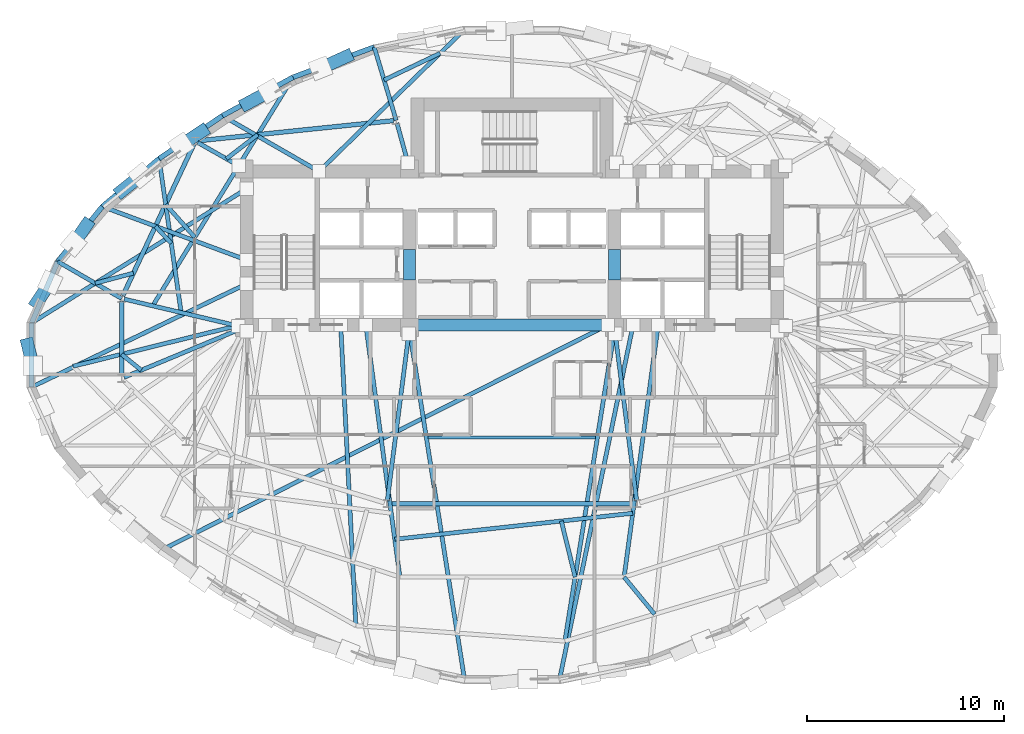
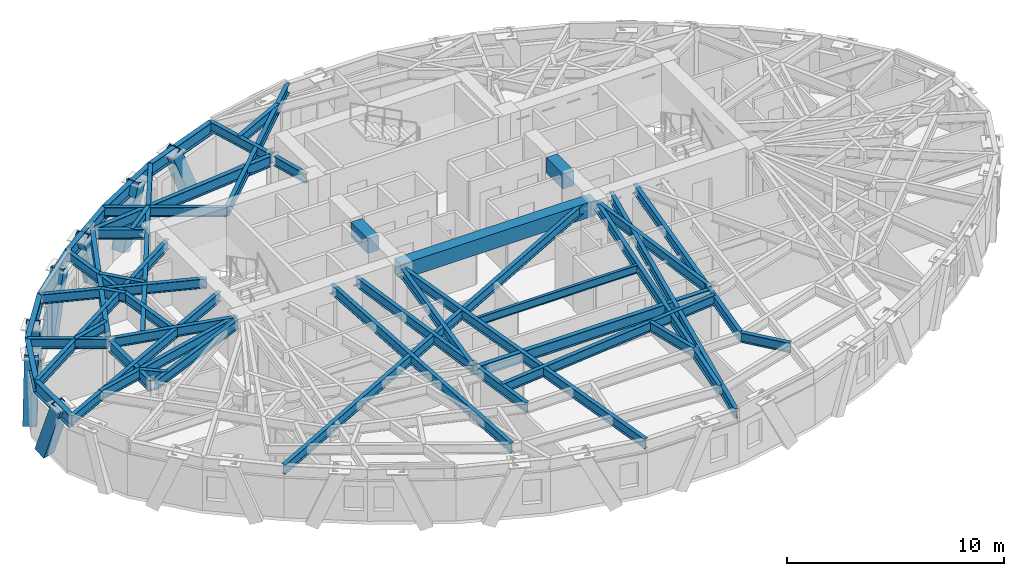
# One storey, part 2 of 14: 47 beams, 7 members.
"""IFC4 building model written with IfcOpenShell, lengths in metres."""

import ifcopenshell
import ifcopenshell.guid

model = None  # the IFC model being written
_history = None  # IfcOwnerHistory: only IFC2X3 demands one
_inside = {}  # id of a spatial element -> (the spatial element, [elements in it])
_under = {}  # id of a project, library or spatial element -> (it, [spatial elements below it])
_declared = {}  # id of a project -> (the project, [libraries it declares])
_typed = {}  # id of a type object -> (the type object, [elements of that type])
_made_of = {}  # id of a material, layer set ... -> (it, [elements and type objects made of it])


def new_model(schema):
    """Start an empty IFC model of exactly this schema.

    Asked for "IFC4X3", IfcOpenShell would pick the latest addendum, in which some entities
    have other attributes; the version numbers below select the first issue.
    IFC2X3 requires an IfcOwnerHistory on every rooted entity: one is made here for all.
    """
    global model, _history
    if schema == "IFC4X3":
        model = ifcopenshell.file(schema_version=(4, 3, 0, 0))
    else:
        model = ifcopenshell.file(schema=schema)
    _inside.clear()
    _under.clear()
    _declared.clear()
    _typed.clear()
    _made_of.clear()
    _history = None
    if model.schema == "IFC2X3":
        org = make("IfcOrganization", Name="unknown")
        user = make(
            "IfcPersonAndOrganization",
            ThePerson=make("IfcPerson", FamilyName="unknown"),
            TheOrganization=org,
        )
        app = make(
            "IfcApplication",
            ApplicationDeveloper=org,
            Version="unknown",
            ApplicationFullName="unknown",
            ApplicationIdentifier="unknown",
        )
        _history = make(
            "IfcOwnerHistory",
            OwningUser=user,
            OwningApplication=app,
            ChangeAction="ADDED",
            CreationDate=0,
        )
    return model


def make(cls, **values):
    """One entity of the class cls with the attributes given. An attribute that is None is left unset."""
    return model.create_entity(
        cls, **{name: value for name, value in values.items() if value is not None}
    )


def rooted(cls, **values):
    """An entity with a GlobalId (a new one), such as an element, a storey or a relation."""
    return make(cls, GlobalId=ifcopenshell.guid.new(), OwnerHistory=_history, **values)


def si_unit(unit_type, name, prefix=None):
    """IfcSIUnit, for example si_unit("LENGTHUNIT", "METRE", prefix="MILLI")."""
    return make("IfcSIUnit", UnitType=unit_type, Prefix=prefix, Name=name)


def assignment(units):
    """IfcUnitAssignment: the units of a project."""
    return None if units is None else make("IfcUnitAssignment", Units=units)


def point(xyz):
    """IfcCartesianPoint."""
    return None if xyz is None else make("IfcCartesianPoint", Coordinates=xyz)


def direction(xyz):
    """IfcDirection."""
    return None if xyz is None else make("IfcDirection", DirectionRatios=xyz)


def frame(location, z_axis=None, x_axis=None):
    """IfcAxis2Placement3D, a coordinate frame: its origin and axes. An axis left out is left unset."""
    return make(
        "IfcAxis2Placement3D",
        Location=point(location),
        Axis=direction(z_axis),
        RefDirection=direction(x_axis),
    )


def frame_2d(location, x_axis=None):
    """IfcAxis2Placement2D, a coordinate frame in the plane: its origin and x axis."""
    return make(
        "IfcAxis2Placement2D", Location=point(location), RefDirection=direction(x_axis)
    )


def origin():
    """The frame at (0, 0, 0) with its axes left unset."""
    return frame((0.0, 0.0, 0.0))


def origin_2d():
    """The frame at (0, 0) in the plane with its x axis left unset."""
    return frame_2d((0.0, 0.0))


def place(relative_to, where):
    """IfcLocalPlacement: puts the frame where relative to a parent placement (None: the world)."""
    return make(
        "IfcLocalPlacement", PlacementRelTo=relative_to, RelativePlacement=where
    )


def context(
    kind, dimensions, precision=None, world=None, true_north=None, identifier=None
):
    """IfcGeometricRepresentationContext, for example the 3D "Model" context."""
    return make(
        "IfcGeometricRepresentationContext",
        ContextIdentifier=identifier,
        ContextType=kind,
        CoordinateSpaceDimension=dimensions,
        Precision=precision,
        WorldCoordinateSystem=world,
        TrueNorth=true_north,
    )


def subcontext(parent, identifier, kind, view, scale=None):
    """IfcGeometricRepresentationSubContext, for example "Body" below "Model"."""
    return make(
        "IfcGeometricRepresentationSubContext",
        ContextIdentifier=identifier,
        ContextType=kind,
        ParentContext=parent,
        TargetScale=scale,
        TargetView=view,
    )


def project(units=None, contexts=None):
    """IfcProject with its units and contexts."""
    return rooted(
        "IfcProject",
        Name="project",
        RepresentationContexts=contexts,
        UnitsInContext=assignment(units),
    )


def spatial(cls, under=None, at=None, **own):
    """A site, building, storey or space (cls), placed at a placement, below another one or the project."""
    s = rooted(cls, ObjectPlacement=at, **own)
    if under is not None:
        _under.setdefault(under.id(), (under, []))[1].append(s)
    return s


def profile(cls, at=None, kind="AREA", **sizes):
    """A parametric profile (cls). Its sizes go by their IFC names, for example OverallWidth=200.0."""
    return make(cls, ProfileType=kind, Position=at, **sizes)


def rectangle(**sizes):
    """IfcRectangleProfileDef."""
    return profile("IfcRectangleProfileDef", **sizes)


def hollow_rectangle(**sizes):
    """IfcRectangleHollowProfileDef."""
    return profile("IfcRectangleHollowProfileDef", **sizes)


def i_section(**sizes):
    """IfcIShapeProfileDef."""
    return profile("IfcIShapeProfileDef", **sizes)


def extrude(swept, where, along, depth):
    """IfcExtrudedAreaSolid: the profile swept, set in the frame where, extruded along a direction by depth."""
    return make(
        "IfcExtrudedAreaSolid",
        SweptArea=swept,
        Position=where,
        ExtrudedDirection=direction(along),
        Depth=depth,
    )


def shape(context_of_items, identifier, shape_type, items):
    """IfcShapeRepresentation: the items that make up one representation, for example the "Body"."""
    return make(
        "IfcShapeRepresentation",
        ContextOfItems=context_of_items,
        RepresentationIdentifier=identifier,
        RepresentationType=shape_type,
        Items=items,
    )


def material(Name=None, Category=None):
    """IfcMaterial."""
    return make("IfcMaterial", Name=Name, Category=Category)


def material_profile(
    of_material, cross_section, Name=None, Category=None, Priority=None
):
    """IfcMaterialProfile: a cross section and its material."""
    return make(
        "IfcMaterialProfile",
        Name=Name,
        Material=of_material,
        Profile=cross_section,
        Priority=Priority,
        Category=Category,
    )


def profile_set(profiles, Name=None, composite=None):
    """IfcMaterialProfileSet."""
    return make(
        "IfcMaterialProfileSet",
        Name=Name,
        MaterialProfiles=profiles,
        CompositeProfile=composite,
    )


def made_of(thing, what):
    """Note that an element or type object is made of a material, layer set ...; save() writes the relation."""
    if what is not None:
        _made_of.setdefault(what.id(), (what, []))[1].append(thing)
    return thing


def type_object(cls, material=None, **own):
    """A type object (cls), such as IfcWallType, which elements share."""
    return made_of(rooted(cls, **own), material)


def element(
    cls,
    number,
    at=None,
    inside=None,
    cuts=None,
    type_object=None,
    material=None,
    context=None,
    identifier="Body",
    shape_type=None,
    held_by="IfcProductDefinitionShape",
    body=None,
    shapes=None,
    **own,
):
    """One element of the class cls, such as IfcWall. Its Tag is "e" and its number.

    at: its placement. inside: the storey or other place that contains it. cuts: it is an
    opening in that element (IfcRelVoidsElement). A single representation is given by context,
    identifier, shape_type and body (its items); several are given by shapes. held_by: the class
    of the entity that holds the representations. save() writes the other relations.
    """
    e = rooted(cls, Tag="e%d" % number, ObjectPlacement=at, **own)
    if body is not None:
        shapes = [shape(context, identifier, shape_type, body)]
    if shapes is not None:
        e.Representation = make(held_by, Representations=shapes)
    if inside is not None:
        _inside.setdefault(inside.id(), (inside, []))[1].append(e)
    if cuts is not None:
        rooted(
            "IfcRelVoidsElement", RelatingBuildingElement=cuts, RelatedOpeningElement=e
        )
    if type_object is not None:
        _typed.setdefault(type_object.id(), (type_object, []))[1].append(e)
    return made_of(e, material)


def aggregate(whole, parts):
    """IfcRelAggregates: a whole, such as a stair, and the parts it consists of."""
    return rooted("IfcRelAggregates", RelatingObject=whole, RelatedObjects=parts)


def save(model, path):
    """Write the relations noted so far, then the file.

    IfcRelAggregates (storeys below a building ...), IfcRelContainedInSpatialStructure (elements
    in a storey), IfcRelDefinesByType, IfcRelAssociatesMaterial and IfcRelDeclares: one each for
    every whole, place, type object, material and project.
    """
    for whole, parts in _under.values():
        aggregate(whole, parts)
    for where, things in _inside.values():
        rooted(
            "IfcRelContainedInSpatialStructure",
            RelatedElements=things,
            RelatingStructure=where,
        )
    for kind, things in _typed.values():
        rooted("IfcRelDefinesByType", RelatedObjects=things, RelatingType=kind)
    for what, things in _made_of.values():
        rooted("IfcRelAssociatesMaterial", RelatedObjects=things, RelatingMaterial=what)
    for by, libraries in _declared.values():
        rooted("IfcRelDeclares", RelatingContext=by, RelatedDefinitions=libraries)
    model.write(path)


model = new_model("IFC4")

# Units and contexts
model_context = context("Model", 3, precision=1e-05, world=origin(), true_north=direction((0.0, 1.0)))
body_context = subcontext(model_context, "Body", "Model", "MODEL_VIEW")
ifc_project = project(units=[si_unit("LENGTHUNIT", "METRE"), si_unit("AREAUNIT", "SQUARE_METRE"), si_unit("VOLUMEUNIT", "CUBIC_METRE"), si_unit("PLANEANGLEUNIT", "RADIAN"), si_unit("MASSUNIT", "GRAM", prefix="KILO")], contexts=[model_context])

# Site, building, storey
site_placement = place(None, origin())
site = spatial("IfcSite", under=ifc_project, at=site_placement, CompositionType="ELEMENT")
building_placement = place(site_placement, origin())
building = spatial("IfcBuilding", under=site, at=building_placement, Name="Keldmark Tower", CompositionType="ELEMENT")
storey_placement = place(building_placement, frame((0.0, 0.0, 188.60009765625)))
storey = spatial("IfcBuildingStorey", under=building, at=storey_placement, Name="L52", CompositionType="ELEMENT", Elevation=188.60009765625)

# Beams
ifc_material_1 = material(Name="Steel ASTM A992 Grade 50", Category="steel")
ifc_material_profile_1 = material_profile(ifc_material_1, i_section(OverallWidth=0.153076171875, OverallDepth=0.455078125, WebThickness=0.008056640625, FlangeThickness=0.01318359375, at=origin_2d()), Name="W18X40")
ifc_profile_set_1 = profile_set([ifc_material_profile_1], Name="Steel ASTM A992 Grade 50")
beam_type_1 = type_object("IfcBeamType", Name="Composite Floor Joist W18X40", PredefinedType="JOIST", material=ifc_profile_set_1)
beam_1_placement = place(storey_placement, frame((-4.25439453125, -4.179931640625, 2.79248046875), z_axis=(1.0, 0.0, 0.0), x_axis=(0.0, 1.0, 0.0)))
element("IfcBeam", 1, at=beam_1_placement, inside=storey, type_object=beam_type_1, Name="L52 Composite Floor Joist J03", PredefinedType="JOIST", context=body_context, shape_type="SweptSolid", body=[
    extrude(i_section(OverallWidth=0.153076171875, OverallDepth=0.455078125, WebThickness=0.008056640625, FlangeThickness=0.01318359375, at=origin_2d()), origin(), (0.0, 0.0, 1.0), 8.497314453125),
])
ifc_material_2 = material(Name="Concrete C50/60", Category="concrete")
ifc_material_profile_2 = material_profile(ifc_material_2, rectangle(XDim=0.60009765625, YDim=0.85009765625, at=origin_2d()), Name="RCB600X850")
ifc_profile_set_2 = profile_set([ifc_material_profile_2], Name="Concrete C50/60")
beam_type_2 = type_object("IfcBeamType", Name="Core Coupling Beam RCB600X850", PredefinedType="USERDEFINED", material=ifc_profile_set_2)
for number, where, z_axis, x_axis, name in (
    (2, (-5.199951171875, 3.800048828125, 2.594970703125), (0.0, 1.0, 0.0), (-1.0, 0.0, 0.0), "L52 West Core Coupling Beam"),
    (3, (5.199951171875, 3.800048828125, 2.594970703125), (0.0, 1.0, 0.0), (-1.0, 0.0, 0.0), "L52 East Core Coupling Beam"),
):
    element("IfcBeam", number, at=place(storey_placement, frame(where, z_axis=z_axis, x_axis=x_axis)), inside=storey, type_object=beam_type_2, Name=name, ObjectType="COUPLING BEAM", PredefinedType="USERDEFINED", context=body_context, shape_type="SweptSolid", body=[
        extrude(rectangle(XDim=0.60009765625, YDim=0.85009765625, at=origin_2d()), origin(), (0.0, 0.0, 1.0), 1.550048828125),
    ])
beam_2_placement = place(storey_placement, frame((-5.199951171875, 1.52490234375, 2.594970703125), z_axis=(1.0, 0.0, 0.0), x_axis=(0.0, 1.0, 0.0)))
element("IfcBeam", 4, at=beam_2_placement, inside=storey, type_object=beam_type_2, Name="L52 Central South Core Coupling Beam", ObjectType="COUPLING BEAM", PredefinedType="USERDEFINED", context=body_context, shape_type="SweptSolid", body=[
    extrude(rectangle(XDim=0.60009765625, YDim=0.85009765625, at=origin_2d()), origin(), (0.0, 0.0, 1.0), 10.39990234375),
])

# Members
ifc_material_3 = material(Name="Steel ASTM A572 Grade 50", Category="steel")
ifc_material_profile_3 = material_profile(ifc_material_3, hollow_rectangle(XDim=0.64990234375, YDim=0.64990234375, WallThickness=0.0400390625, at=origin_2d()), Name="BOX650X650X40")
ifc_profile_set_3 = profile_set([ifc_material_profile_3], Name="Steel ASTM A572 Grade 50")
member_type = type_object("IfcMemberType", Name="Diagrid Zone 3 Brace BOX650X650X40", PredefinedType="BRACE", material=ifc_profile_set_3)
member_1_placement = place(storey_placement, frame((-8.3994140625, 15.160400390625, -0.260009765625), z_axis=(-0.381739546907, -0.173122602309, 0.907911605222), x_axis=(0.413021058535, -0.910721475099, 0.0)))
element("IfcMember", 5, at=member_1_placement, inside=storey, type_object=member_type, Name="L52 Perimeter Diagrid Brace 05B", PredefinedType="BRACE", context=body_context, shape_type="SweptSolid", body=[
    extrude(hollow_rectangle(XDim=0.64990234375, YDim=0.64990234375, WallThickness=0.0400390625, at=origin_2d()), origin(), (0.0, 0.0, 1.0), 3.48046875),
])
member_2_placement = place(storey_placement, frame((-13.485595703125, 12.75439453125, -0.260009765625), z_axis=(0.348411931522, 0.187333502896, 0.918430881812), x_axis=(-0.473564885035, 0.88075893391, 0.0)))
element("IfcMember", 6, at=member_2_placement, inside=storey, type_object=member_type, Name="L52 Perimeter Diagrid Brace 06A", PredefinedType="BRACE", context=body_context, shape_type="SweptSolid", body=[
    extrude(hollow_rectangle(XDim=0.64990234375, YDim=0.64990234375, WallThickness=0.0400390625, at=origin_2d()), origin(), (0.0, 0.0, 1.0), 3.440673828125),
])
member_3_placement = place(storey_placement, frame((-15.72705078125, 11.366943359375, -0.260009765625), z_axis=(-0.317265032561, -0.209723619497, 0.92485615235), x_axis=(0.551444094516, -0.834211849966, 0.0)))
element("IfcMember", 7, at=member_3_placement, inside=storey, type_object=member_type, Name="L52 Perimeter Diagrid Brace 06B", PredefinedType="BRACE", context=body_context, shape_type="SweptSolid", body=[
    extrude(hollow_rectangle(XDim=0.64990234375, YDim=0.64990234375, WallThickness=0.0400390625, at=origin_2d()), origin(), (0.0, 0.0, 1.0), 3.416748046875),
])
member_4_placement = place(storey_placement, frame((-19.830810546875, 8.322509765625, -0.260009765625), z_axis=(0.292264676607, 0.234456442778, 0.927152379735), x_axis=(-0.625743661537, 0.78002876232, 0.0)))
element("IfcMember", 8, at=member_4_placement, inside=storey, type_object=member_type, Name="L52 Perimeter Diagrid Brace 07A", PredefinedType="BRACE", context=body_context, shape_type="SweptSolid", body=[
    extrude(hollow_rectangle(XDim=0.64990234375, YDim=0.64990234375, WallThickness=0.0400390625, at=origin_2d()), origin(), (0.0, 0.0, 1.0), 3.408203125),
])
member_5_placement = place(storey_placement, frame((-21.60205078125, 6.604736328125, -0.260009765625), z_axis=(-0.195430311819, -0.284407303508, 0.938573107932), x_axis=(0.824176793031, -0.566332600005, 0.0)))
element("IfcMember", 9, at=member_5_placement, inside=storey, type_object=member_type, Name="L52 Perimeter Diagrid Brace 07B", PredefinedType="BRACE", context=body_context, shape_type="SweptSolid", body=[
    extrude(hollow_rectangle(XDim=0.64990234375, YDim=0.64990234375, WallThickness=0.0400390625, at=origin_2d()), origin(), (0.0, 0.0, 1.0), 3.36669921875),
])
member_6_placement = place(storey_placement, frame((-24.127685546875, 2.67333984375, -0.260009765625), z_axis=(0.19938396282, 0.299652615127, 0.932981428335), x_axis=(-0.832542950219, 0.553960500434, 0.0)))
element("IfcMember", 10, at=member_6_placement, inside=storey, type_object=member_type, Name="L52 Perimeter Diagrid Brace 08A", PredefinedType="BRACE", context=body_context, shape_type="SweptSolid", body=[
    extrude(hollow_rectangle(XDim=0.64990234375, YDim=0.64990234375, WallThickness=0.0400390625, at=origin_2d()), origin(), (0.0, 0.0, 1.0), 3.386962890625),
])
member_7_placement = place(storey_placement, frame((-24.598388671875, 0.54296875, -0.260009765625), z_axis=(0.078840732704, -0.325554715285, 0.942230474047), x_axis=(0.971905872093, 0.235369870187, 0.0)))
element("IfcMember", 11, at=member_7_placement, inside=storey, type_object=member_type, Name="L52 Perimeter Diagrid Brace 08B", PredefinedType="BRACE", context=body_context, shape_type="SweptSolid", body=[
    extrude(hollow_rectangle(XDim=0.64990234375, YDim=0.64990234375, WallThickness=0.0400390625, at=origin_2d()), origin(), (0.0, 0.0, 1.0), 3.353759765625),
])

# Beams
ifc_material_4 = material(Name="Steel ASTM A992 Grade 50", Category="steel")
ifc_material_profile_4 = material_profile(ifc_material_4, i_section(OverallWidth=0.22900390625, OverallDepth=0.612060546875, WebThickness=0.011962890625, FlangeThickness=0.01953125, at=origin_2d()), Name="W24X84")
ifc_profile_set_4 = profile_set([ifc_material_profile_4], Name="Steel ASTM A992 Grade 50")
beam_type_3 = type_object("IfcBeamType", Name="Primary Floor Girder W24X84", PredefinedType="BEAM", material=ifc_profile_set_4)
beam_3_placement = place(storey_placement, frame((-6.01953125, 11.90087890625, 2.7138671875), z_axis=(-0.994702930931, -0.102791435423, 0.0), x_axis=(0.102791435423, -0.994702930931, 0.0)))
element("IfcBeam", 12, at=beam_3_placement, inside=storey, type_object=beam_type_3, Name="L52 Floor Ring Girder FG-R04", PredefinedType="BEAM", context=body_context, shape_type="SweptSolid", body=[
    extrude(i_section(OverallWidth=0.22900390625, OverallDepth=0.612060546875, WebThickness=0.011962890625, FlangeThickness=0.01953125, at=origin_2d()), origin(), (0.0, 0.0, 1.0), 9.975341796875),
])
beam_4_placement = place(storey_placement, frame((-16.140869140625, 10.734130859375, 2.7138671875), z_axis=(-0.424526823774, -0.905415360979, 0.0), x_axis=(0.905415360979, -0.424526823774, 0.0)))
element("IfcBeam", 13, at=beam_4_placement, inside=storey, type_object=beam_type_3, Name="L52 Floor Ring Girder FG-R05", PredefinedType="BEAM", context=body_context, shape_type="SweptSolid", body=[
    extrude(i_section(OverallWidth=0.22900390625, OverallDepth=0.612060546875, WebThickness=0.011962890625, FlangeThickness=0.01953125, at=origin_2d()), origin(), (0.0, 0.0, 1.0), 8.54638671875),
])
beam_5_placement = place(storey_placement, frame((-19.828369140625, 2.729248046875, 2.7138671875), z_axis=(0.0, -1.0, 0.0), x_axis=(1.0, 0.0, 0.0)))
element("IfcBeam", 14, at=beam_5_placement, inside=storey, type_object=beam_type_3, Name="L52 Floor Ring Girder FG-R06", PredefinedType="BEAM", context=body_context, shape_type="SweptSolid", body=[
    extrude(i_section(OverallWidth=0.22900390625, OverallDepth=0.612060546875, WebThickness=0.011962890625, FlangeThickness=0.01953125, at=origin_2d()), origin(), (0.0, 0.0, 1.0), 3.778564453125),
])
beam_6_placement = place(storey_placement, frame((-6.211181640625, -7.546142578125, 2.7138671875), z_axis=(1.0, 0.0, 0.0), x_axis=(0.0, 1.0, 0.0)))
element("IfcBeam", 15, at=beam_6_placement, inside=storey, type_object=beam_type_3, Name="L52 Floor Ring Girder FG-R09", PredefinedType="BEAM", context=body_context, shape_type="SweptSolid", body=[
    extrude(i_section(OverallWidth=0.22900390625, OverallDepth=0.612060546875, WebThickness=0.011962890625, FlangeThickness=0.01953125, at=origin_2d()), origin(), (0.0, 0.0, 1.0), 12.42236328125),
])
ifc_material_5 = material(Name="Steel ASTM A992 Grade 50", Category="steel")
ifc_material_profile_5 = material_profile(ifc_material_5, i_section(OverallWidth=0.2099609375, OverallDepth=0.537109375, WebThickness=0.010986328125, FlangeThickness=0.017333984375, at=origin_2d()), Name="W21X68")
ifc_profile_set_5 = profile_set([ifc_material_profile_5], Name="Steel ASTM A992 Grade 50")
beam_type_4 = type_object("IfcBeamType", Name="Radial Tie Girder W21X68", PredefinedType="BEAM", material=ifc_profile_set_5)
beam_7_placement = place(storey_placement, frame((-5.843017578125, 11.7802734375, 2.75146484375), z_axis=(0.265992411, -0.963975122755, 0.0), x_axis=(0.963975122755, 0.265992411, 0.0)))
element("IfcBeam", 16, at=beam_7_placement, inside=storey, type_object=beam_type_4, Name="L52 Floor Radial Girder FG-C04", PredefinedType="BEAM", context=body_context, shape_type="SweptSolid", body=[
    extrude(i_section(OverallWidth=0.2099609375, OverallDepth=0.537109375, WebThickness=0.010986328125, FlangeThickness=0.017333984375, at=origin_2d()), origin(), (0.0, 0.0, 1.0), 2.09716796875),
])
beam_8_placement = place(storey_placement, frame((-15.959716796875, 10.791748046875, 2.75146484375), z_axis=(0.86929527307, -0.494293160197, 0.0), x_axis=(0.494293160197, 0.86929527307, 0.0)))
element("IfcBeam", 17, at=beam_8_placement, inside=storey, type_object=beam_type_4, Name="L52 Floor Radial Girder FG-C05", PredefinedType="BEAM", context=body_context, shape_type="SweptSolid", body=[
    extrude(i_section(OverallWidth=0.2099609375, OverallDepth=0.537109375, WebThickness=0.010986328125, FlangeThickness=0.017333984375, at=origin_2d()), origin(), (0.0, 0.0, 1.0), 2.39453125),
])
beam_9_placement = place(storey_placement, frame((-19.692138671875, 2.837158203125, 2.75146484375), z_axis=(0.973280062348, -0.229621253887, 0.0), x_axis=(0.229621253887, 0.973280062348, 0.0)))
element("IfcBeam", 18, at=beam_9_placement, inside=storey, type_object=beam_type_4, Name="L52 Floor Radial Girder FG-C06", PredefinedType="BEAM", context=body_context, shape_type="SweptSolid", body=[
    extrude(i_section(OverallWidth=0.2099609375, OverallDepth=0.537109375, WebThickness=0.010986328125, FlangeThickness=0.017333984375, at=origin_2d()), origin(), (0.0, 0.0, 1.0), 5.939208984375),
])
beam_10_placement = place(storey_placement, frame((-19.69921875, -1.135498046875, 2.75146484375), z_axis=(0.923393794893, 0.383854008124, 0.0), x_axis=(-0.383854008124, 0.923393794893, 0.0)))
element("IfcBeam", 19, at=beam_10_placement, inside=storey, type_object=beam_type_4, Name="L52 Floor Radial Girder FG-C07", PredefinedType="BEAM", context=body_context, shape_type="SweptSolid", body=[
    extrude(i_section(OverallWidth=0.2099609375, OverallDepth=0.537109375, WebThickness=0.010986328125, FlangeThickness=0.017333984375, at=origin_2d()), origin(), (0.0, 0.0, 1.0), 6.28515625),
])
for number, where, z_axis, x_axis, name in (
    (20, (-6.333251953125, -7.4072265625, 2.75146484375), (0.127635577416, 0.991821132754, 0.0), (-0.991821132754, 0.127635577416, 0.0), "L52 Floor Radial Girder FG-C09"),
    (21, (6.333251953125, -7.4072265625, 2.75146484375), (-0.127635577416, 0.991821132754, 0.0), (-0.991821132754, -0.127635577416, 0.0), "L52 Floor Radial Girder FG-C10"),
):
    element("IfcBeam", number, at=place(storey_placement, frame(where, z_axis=z_axis, x_axis=x_axis)), inside=storey, type_object=beam_type_4, Name=name, PredefinedType="BEAM", context=body_context, shape_type="SweptSolid", body=[
        extrude(i_section(OverallWidth=0.2099609375, OverallDepth=0.537109375, WebThickness=0.010986328125, FlangeThickness=0.017333984375, at=origin_2d()), origin(), (0.0, 0.0, 1.0), 8.559814453125),
    ])
beam_11_placement = place(storey_placement, frame((-18.82861328125, -0.773681640625, 2.75146484375), z_axis=(-0.77733769499, 0.62908354608, 0.0), x_axis=(-0.62908354608, -0.77733769499, 0.0)))
element("IfcBeam", 22, at=beam_11_placement, inside=storey, type_object=beam_type_4, Name="L52 Framing Pin Header PH-001", PredefinedType="BEAM", context=body_context, shape_type="SweptSolid", body=[
    extrude(i_section(OverallWidth=0.2099609375, OverallDepth=0.537109375, WebThickness=0.010986328125, FlangeThickness=0.017333984375, at=origin_2d()), origin(), (0.0, 0.0, 1.0), 1.2861328125),
])
beam_12_placement = place(storey_placement, frame((-13.800048828125, 1.52490234375, 2.75146484375), z_axis=(-0.970811765916, -0.23984268836, 0.0), x_axis=(0.23984268836, -0.970811765916, 0.0)))
element("IfcBeam", 23, at=beam_12_placement, inside=storey, type_object=beam_type_4, Name="L52 Sub-Ring Step Girder STP1-M07", PredefinedType="BEAM", context=body_context, shape_type="SweptSolid", body=[
    extrude(i_section(OverallWidth=0.2099609375, OverallDepth=0.537109375, WebThickness=0.010986328125, FlangeThickness=0.017333984375, at=origin_2d()), origin(), (0.0, 0.0, 1.0), 8.7490234375),
])
beam_13_placement = place(storey_placement, frame((-7.425048828125, 1.52490234375, 2.75146484375), z_axis=(0.134028735845, -0.990977445741, 0.0), x_axis=(0.990977445741, 0.134028735845, 0.0)))
element("IfcBeam", 24, at=beam_13_placement, inside=storey, type_object=beam_type_4, Name="L52 Sub-Ring Step Girder STP1-M09", PredefinedType="BEAM", context=body_context, shape_type="SweptSolid", body=[
    extrude(i_section(OverallWidth=0.2099609375, OverallDepth=0.537109375, WebThickness=0.010986328125, FlangeThickness=0.017333984375, at=origin_2d()), origin(), (0.0, 0.0, 1.0), 12.920166015625),
])
beam_14_placement = place(storey_placement, frame((-5.953125, -9.358154296875, 2.75146484375), z_axis=(0.994080506345, 0.108645970491, 0.0), x_axis=(-0.108645970491, 0.994080506345, 0.0)))
element("IfcBeam", 25, at=beam_14_placement, inside=storey, type_object=beam_type_4, Name="L52 Framing Pin Header PH-004", PredefinedType="BEAM", context=body_context, shape_type="SweptSolid", body=[
    extrude(i_section(OverallWidth=0.2099609375, OverallDepth=0.537109375, WebThickness=0.010986328125, FlangeThickness=0.017333984375, at=origin_2d()), origin(), (0.0, 0.0, 1.0), 12.156982421875),
])
beam_15_placement = place(storey_placement, frame((7.425048828125, 1.52490234375, 2.75146484375), z_axis=(-0.134028735845, -0.990977445741, 0.0), x_axis=(0.990977445741, -0.134028735845, 0.0)))
element("IfcBeam", 26, at=beam_15_placement, inside=storey, type_object=beam_type_4, Name="L52 Sub-Ring Step Girder STP1-M10", PredefinedType="BEAM", context=body_context, shape_type="SweptSolid", body=[
    extrude(i_section(OverallWidth=0.2099609375, OverallDepth=0.537109375, WebThickness=0.010986328125, FlangeThickness=0.017333984375, at=origin_2d()), origin(), (0.0, 0.0, 1.0), 12.920166015625),
])
beam_16_placement = place(storey_placement, frame((-8.699951171875, 1.52490234375, 2.75146484375), z_axis=(0.050382034625, -0.998730018867, 0.0), x_axis=(0.998730018867, 0.050382034625, 0.0)))
element("IfcBeam", 27, at=beam_16_placement, inside=storey, type_object=beam_type_4, Name="L52 Sub-Ring Step Girder STP2-M09", PredefinedType="BEAM", context=body_context, shape_type="SweptSolid", body=[
    extrude(i_section(OverallWidth=0.2099609375, OverallDepth=0.537109375, WebThickness=0.010986328125, FlangeThickness=0.017333984375, at=origin_2d()), origin(), (0.0, 0.0, 1.0), 15.28857421875),
])
beam_17_placement = place(storey_placement, frame((2.50634765625, -8.43359375, 2.75146484375), z_axis=(0.238730155552, -0.971085945131, 0.0), x_axis=(0.971085945131, 0.238730155552, 0.0)))
element("IfcBeam", 28, at=beam_17_placement, inside=storey, type_object=beam_type_4, Name="L52 Framing Pin Header PH-009", PredefinedType="BEAM", context=body_context, shape_type="SweptSolid", body=[
    extrude(i_section(OverallWidth=0.2099609375, OverallDepth=0.537109375, WebThickness=0.010986328125, FlangeThickness=0.017333984375, at=origin_2d()), origin(), (0.0, 0.0, 1.0), 2.929931640625),
])
beam_18_placement = place(storey_placement, frame((5.199951171875, 1.199951171875, 2.75146484375), z_axis=(-0.157811160463, -0.987469309717, 0.0), x_axis=(0.987469309717, -0.157811160463, 0.0)))
element("IfcBeam", 29, at=beam_18_placement, inside=storey, type_object=beam_type_4, Name="L52 Sub-Ring Step Girder STP2-M10", PredefinedType="BEAM", context=body_context, shape_type="SweptSolid", body=[
    extrude(i_section(OverallWidth=0.2099609375, OverallDepth=0.537109375, WebThickness=0.010986328125, FlangeThickness=0.017333984375, at=origin_2d()), origin(), (0.0, 0.0, 1.0), 15.928466796875),
])
beam_19_placement = place(storey_placement, frame((-5.880126953125, 11.915283203125, 2.75146484375), z_axis=(-0.287428543118, 0.957802084254, 0.0), x_axis=(-0.957802084254, -0.287428543118, 0.0)))
element("IfcBeam", 30, at=beam_19_placement, inside=storey, type_object=beam_type_4, Name="L52 Perimeter Column Bracket RT-10", PredefinedType="BEAM", context=body_context, shape_type="SweptSolid", body=[
    extrude(i_section(OverallWidth=0.2099609375, OverallDepth=0.537109375, WebThickness=0.010986328125, FlangeThickness=0.017333984375, at=origin_2d()), origin(), (0.0, 0.0, 1.0), 3.8876953125),
])
beam_20_placement = place(storey_placement, frame((-14.502685546875, 9.96337890625, 2.75146484375), z_axis=(0.792714265132, 0.609593384032, 0.0), x_axis=(-0.609593384032, 0.792714265132, 0.0)))
element("IfcBeam", 31, at=beam_20_placement, inside=storey, type_object=beam_type_4, Name="L52 Framing Pin Header PH-017", PredefinedType="BEAM", context=body_context, shape_type="SweptSolid", body=[
    extrude(i_section(OverallWidth=0.2099609375, OverallDepth=0.537109375, WebThickness=0.010986328125, FlangeThickness=0.017333984375, at=origin_2d()), origin(), (0.0, 0.0, 1.0), 2.010498046875),
])
beam_21_placement = place(storey_placement, frame((-18.246826171875, 2.49609375, 2.75146484375), z_axis=(0.523275136234, 0.852163793997, 0.0), x_axis=(-0.852163793997, 0.523275136234, 0.0)))
element("IfcBeam", 32, at=beam_21_placement, inside=storey, type_object=beam_type_4, Name="L52 Perimeter Radial Tie Girder RT-11", PredefinedType="BEAM", context=body_context, shape_type="SweptSolid", body=[
    extrude(i_section(OverallWidth=0.2099609375, OverallDepth=0.537109375, WebThickness=0.010986328125, FlangeThickness=0.017333984375, at=origin_2d()), origin(), (0.0, 0.0, 1.0), 13.620849609375),
])
beam_22_placement = place(storey_placement, frame((-9.8037109375, 9.324951171875, 2.75146484375), z_axis=(-0.866528023076, 0.499128425581, 0.0), x_axis=(-0.499128425581, -0.866528023076, 0.0)))
element("IfcBeam", 33, at=beam_22_placement, inside=storey, type_object=beam_type_4, Name="L52 Perimeter Radial Tie Girder RT-12", PredefinedType="BEAM", context=body_context, shape_type="SweptSolid", body=[
    extrude(i_section(OverallWidth=0.2099609375, OverallDepth=0.537109375, WebThickness=0.010986328125, FlangeThickness=0.017333984375, at=origin_2d()), origin(), (0.0, 0.0, 1.0), 5.658203125),
])
beam_23_placement = place(storey_placement, frame((-16.108642578125, 5.978271484375, 2.75146484375), z_axis=(-0.663187697418, 0.748453123444, 0.0), x_axis=(-0.748453123444, -0.663187697418, 0.0)))
element("IfcBeam", 34, at=beam_23_placement, inside=storey, type_object=beam_type_4, Name="L52 Framing Pin Header PH-018", PredefinedType="BEAM", context=body_context, shape_type="SweptSolid", body=[
    extrude(i_section(OverallWidth=0.2099609375, OverallDepth=0.537109375, WebThickness=0.010986328125, FlangeThickness=0.017333984375, at=origin_2d()), origin(), (0.0, 0.0, 1.0), 2.23046875),
])
beam_24_placement = place(storey_placement, frame((-16.8017578125, 2.1552734375, 2.75146484375), z_axis=(-0.141694101191, 0.989910491756, 0.0), x_axis=(-0.989910491756, -0.141694101191, 0.0)))
element("IfcBeam", 35, at=beam_24_placement, inside=storey, type_object=beam_type_4, Name="L52 Perimeter Radial Tie Girder RT-13", PredefinedType="BEAM", context=body_context, shape_type="SweptSolid", body=[
    extrude(i_section(OverallWidth=0.2099609375, OverallDepth=0.537109375, WebThickness=0.010986328125, FlangeThickness=0.017333984375, at=origin_2d()), origin(), (0.0, 0.0, 1.0), 7.894775390625),
])
beam_25_placement = place(storey_placement, frame((-17.30517578125, 5.672119140625, 2.75146484375), z_axis=(-0.679412151956, 0.733756858758, 0.0), x_axis=(-0.733756858758, -0.679412151956, 0.0)))
element("IfcBeam", 36, at=beam_25_placement, inside=storey, type_object=beam_type_4, Name="L52 Framing Pin Header PH-019", PredefinedType="BEAM", context=body_context, shape_type="SweptSolid", body=[
    extrude(i_section(OverallWidth=0.2099609375, OverallDepth=0.537109375, WebThickness=0.010986328125, FlangeThickness=0.017333984375, at=origin_2d()), origin(), (0.0, 0.0, 1.0), 1.181396484375),
])
beam_26_placement = place(storey_placement, frame((-13.47509765625, 4.8212890625, 2.75146484375), z_axis=(-0.937623218019, 0.347653133211, 0.0), x_axis=(-0.347653133211, -0.937623218019, 0.0)))
element("IfcBeam", 37, at=beam_26_placement, inside=storey, type_object=beam_type_4, Name="L52 Perimeter Radial Tie Girder RT-14", PredefinedType="BEAM", context=body_context, shape_type="SweptSolid", body=[
    extrude(i_section(OverallWidth=0.2099609375, OverallDepth=0.537109375, WebThickness=0.010986328125, FlangeThickness=0.017333984375, at=origin_2d()), origin(), (0.0, 0.0, 1.0), 7.8154296875),
])
beam_27_placement = place(storey_placement, frame((-19.828369140625, 2.869140625, 2.75146484375), z_axis=(-0.865528975571, 0.500858854816, 0.0), x_axis=(-0.500858854816, -0.865528975571, 0.0)))
element("IfcBeam", 38, at=beam_27_placement, inside=storey, type_object=beam_type_4, Name="L52 Perimeter Column Bracket RT-15", PredefinedType="BEAM", context=body_context, shape_type="SweptSolid", body=[
    extrude(i_section(OverallWidth=0.2099609375, OverallDepth=0.537109375, WebThickness=0.010986328125, FlangeThickness=0.017333984375, at=origin_2d()), origin(), (0.0, 0.0, 1.0), 3.7431640625),
])
beam_28_placement = place(storey_placement, frame((-19.224853515625, 4.15673828125, 2.75146484375), z_axis=(-0.966747682378, -0.255732122772, 0.0), x_axis=(0.255732122772, -0.966747682378, 0.0)))
element("IfcBeam", 39, at=beam_28_placement, inside=storey, type_object=beam_type_4, Name="L52 Framing Pin Header PH-020", PredefinedType="BEAM", context=body_context, shape_type="SweptSolid", body=[
    extrude(i_section(OverallWidth=0.2099609375, OverallDepth=0.537109375, WebThickness=0.010986328125, FlangeThickness=0.017333984375, at=origin_2d()), origin(), (0.0, 0.0, 1.0), 2.007568359375),
])
beam_29_placement = place(storey_placement, frame((-13.47509765625, 8.44287109375, 2.75146484375), z_axis=(-0.848349797328, -0.529436135312, 0.0), x_axis=(0.529436135312, -0.848349797328, 0.0)))
element("IfcBeam", 40, at=beam_29_placement, inside=storey, type_object=beam_type_4, Name="L52 Perimeter Radial Tie Girder RT-16", PredefinedType="BEAM", context=body_context, shape_type="SweptSolid", body=[
    extrude(i_section(OverallWidth=0.2099609375, OverallDepth=0.537109375, WebThickness=0.010986328125, FlangeThickness=0.017333984375, at=origin_2d()), origin(), (0.0, 0.0, 1.0), 12.8701171875),
])
beam_30_placement = place(storey_placement, frame((-13.47509765625, 3.6142578125, 2.75146484375), z_axis=(-0.901448812956, -0.432885709652, 0.0), x_axis=(0.432885709652, -0.901448812956, 0.0)))
element("IfcBeam", 41, at=beam_30_placement, inside=storey, type_object=beam_type_4, Name="L52 Perimeter Radial Tie Girder RT-17", PredefinedType="BEAM", context=body_context, shape_type="SweptSolid", body=[
    extrude(i_section(OverallWidth=0.2099609375, OverallDepth=0.537109375, WebThickness=0.010986328125, FlangeThickness=0.017333984375, at=origin_2d()), origin(), (0.0, 0.0, 1.0), 12.112060546875),
])
beam_31_placement = place(storey_placement, frame((4.875, 1.52490234375, 2.75146484375), z_axis=(-0.892891885385, -0.450271119453, 0.0), x_axis=(0.450271119453, -0.892891885385, 0.0)))
element("IfcBeam", 42, at=beam_31_placement, inside=storey, type_object=beam_type_4, Name="L52 Perimeter Radial Tie Girder RT-20", PredefinedType="BEAM", context=body_context, shape_type="SweptSolid", body=[
    extrude(i_section(OverallWidth=0.2099609375, OverallDepth=0.537109375, WebThickness=0.010986328125, FlangeThickness=0.017333984375, at=origin_2d()), origin(), (0.0, 0.0, 1.0), 25.52978515625),
])
beam_32_placement = place(storey_placement, frame((-5.199951171875, 1.199951171875, 2.75146484375), z_axis=(0.155783140247, -0.987791280188, 0.0), x_axis=(0.987791280188, 0.155783140247, 0.0)))
element("IfcBeam", 43, at=beam_32_placement, inside=storey, type_object=beam_type_4, Name="L52 Perimeter Radial Tie Girder RT-24", PredefinedType="BEAM", context=body_context, shape_type="SweptSolid", body=[
    extrude(i_section(OverallWidth=0.2099609375, OverallDepth=0.537109375, WebThickness=0.010986328125, FlangeThickness=0.017333984375, at=origin_2d()), origin(), (0.0, 0.0, 1.0), 17.956787109375),
])
beam_33_placement = place(storey_placement, frame((6.14990234375, 1.52490234375, 2.75146484375), z_axis=(-0.203138173184, -0.979150081752, 0.0), x_axis=(0.979150081752, -0.203138173184, 0.0)))
element("IfcBeam", 44, at=beam_33_placement, inside=storey, type_object=beam_type_4, Name="L52 Perimeter Radial Tie Girder RT-25", PredefinedType="BEAM", context=body_context, shape_type="SweptSolid", body=[
    extrude(i_section(OverallWidth=0.2099609375, OverallDepth=0.537109375, WebThickness=0.010986328125, FlangeThickness=0.017333984375, at=origin_2d()), origin(), (0.0, 0.0, 1.0), 18.447021484375),
])
beam_34_placement = place(storey_placement, frame((5.693359375, -11.27880859375, 2.75146484375), z_axis=(0.634728760212, -0.772735013417, 0.0), x_axis=(0.772735013417, 0.634728760212, 0.0)))
element("IfcBeam", 45, at=beam_34_placement, inside=storey, type_object=beam_type_4, Name="L52 Framing Pin Header PH-028", PredefinedType="BEAM", context=body_context, shape_type="SweptSolid", body=[
    extrude(i_section(OverallWidth=0.2099609375, OverallDepth=0.537109375, WebThickness=0.010986328125, FlangeThickness=0.017333984375, at=origin_2d()), origin(), (0.0, 0.0, 1.0), 2.44140625),
])
beam_35_placement = place(storey_placement, frame((-6.494873046875, 13.96337890625, 2.75146484375), z_axis=(0.902190485248, 0.431337835494, 0.0), x_axis=(-0.431337835494, 0.902190485248, 0.0)))
element("IfcBeam", 46, at=beam_35_placement, inside=storey, type_object=beam_type_4, Name="L52 Framing Pin Header PH-036", PredefinedType="BEAM", context=body_context, shape_type="SweptSolid", body=[
    extrude(i_section(OverallWidth=0.2099609375, OverallDepth=0.537109375, WebThickness=0.010986328125, FlangeThickness=0.017333984375, at=origin_2d()), origin(), (0.0, 0.0, 1.0), 3.1572265625),
])
beam_36_placement = place(storey_placement, frame((-9.8037109375, 9.324951171875, 2.75146484375), z_axis=(0.716166911472, 0.697929047191, 0.0), x_axis=(-0.697929047191, 0.716166911472, 0.0)))
element("IfcBeam", 47, at=beam_36_placement, inside=storey, type_object=beam_type_4, Name="L52 Perimeter Radial Tie Girder RT-09R", PredefinedType="BEAM", context=body_context, shape_type="SweptSolid", body=[
    extrude(i_section(OverallWidth=0.2099609375, OverallDepth=0.537109375, WebThickness=0.010986328125, FlangeThickness=0.017333984375, at=origin_2d()), origin(), (0.0, 0.0, 1.0), 10.33447265625),
])
ifc_material_6 = material(Name="Steel ASTM A992 Grade 50", Category="steel")
ifc_material_profile_6 = material_profile(ifc_material_6, i_section(OverallWidth=0.256103515625, OverallDepth=0.693115234375, WebThickness=0.014404296875, FlangeThickness=0.023681640625, at=origin_2d()), Name="W27X114")
ifc_profile_set_6 = profile_set([ifc_material_profile_6], Name="Steel ASTM A992 Grade 50")
beam_type_5 = type_object("IfcBeamType", Name="Spandrel Ring Beam W27X114", PredefinedType="SPANDREL", material=ifc_profile_set_6)
beam_37_placement = place(storey_placement, frame((-6.99755859375, 15.638916015625, 2.67333984375), z_axis=(-0.937077486277, -0.34912144694, 0.0), x_axis=(0.34912144694, -0.937077486277, 0.0)))
element("IfcBeam", 48, at=beam_37_placement, inside=storey, type_object=beam_type_5, Name="L52 Perimeter Spandrel Ring Beam SRB-10", PredefinedType="SPANDREL", context=body_context, shape_type="SweptSolid", body=[
    extrude(i_section(OverallWidth=0.256103515625, OverallDepth=0.693115234375, WebThickness=0.014404296875, FlangeThickness=0.023681640625, at=origin_2d()), origin(), (0.0, 0.0, 1.0), 4.398681640625),
])
beam_38_placement = place(storey_placement, frame((-11.119384765625, 14.103271484375, 2.67333984375), z_axis=(-0.878169505213, -0.478349579402, 0.0), x_axis=(0.478349579402, -0.878169505213, 0.0)))
element("IfcBeam", 49, at=beam_38_placement, inside=storey, type_object=beam_type_5, Name="L52 Perimeter Spandrel Ring Beam SRB-11", PredefinedType="SPANDREL", context=body_context, shape_type="SweptSolid", body=[
    extrude(i_section(OverallWidth=0.256103515625, OverallDepth=0.693115234375, WebThickness=0.014404296875, FlangeThickness=0.023681640625, at=origin_2d()), origin(), (0.0, 0.0, 1.0), 4.085205078125),
])
beam_39_placement = place(storey_placement, frame((-14.706787109375, 12.149169921875, 2.67333984375), z_axis=(-0.827710478333, -0.561155383168, 0.0), x_axis=(0.561155383168, -0.827710478333, 0.0)))
element("IfcBeam", 50, at=beam_39_placement, inside=storey, type_object=beam_type_5, Name="L52 Perimeter Spandrel Ring Beam SRB-12", PredefinedType="SPANDREL", context=body_context, shape_type="SweptSolid", body=[
    extrude(i_section(OverallWidth=0.256103515625, OverallDepth=0.693115234375, WebThickness=0.014404296875, FlangeThickness=0.023681640625, at=origin_2d()), origin(), (0.0, 0.0, 1.0), 3.882568359375),
])
beam_40_placement = place(storey_placement, frame((-17.92041015625, 9.970458984375, 2.67333984375), z_axis=(-0.764296468588, -0.64486503092, 0.0), x_axis=(0.64486503092, -0.764296468588, 0.0)))
element("IfcBeam", 51, at=beam_40_placement, inside=storey, type_object=beam_type_5, Name="L52 Perimeter Spandrel Ring Beam SRB-13", PredefinedType="SPANDREL", context=body_context, shape_type="SweptSolid", body=[
    extrude(i_section(OverallWidth=0.256103515625, OverallDepth=0.693115234375, WebThickness=0.014404296875, FlangeThickness=0.023681640625, at=origin_2d()), origin(), (0.0, 0.0, 1.0), 3.771484375),
])
beam_41_placement = place(storey_placement, frame((-20.802978515625, 7.538330078125, 2.67333984375), z_axis=(-0.629697919329, -0.776840093193, 0.0), x_axis=(0.776840093193, -0.629697919329, 0.0)))
element("IfcBeam", 52, at=beam_41_placement, inside=storey, type_object=beam_type_5, Name="L52 Perimeter Spandrel Ring Beam SRB-14", PredefinedType="SPANDREL", context=body_context, shape_type="SweptSolid", body=[
    extrude(i_section(OverallWidth=0.256103515625, OverallDepth=0.693115234375, WebThickness=0.014404296875, FlangeThickness=0.023681640625, at=origin_2d()), origin(), (0.0, 0.0, 1.0), 3.59716796875),
])
beam_42_placement = place(storey_placement, frame((-23.068115234375, 4.743896484375, 2.67333984375), z_axis=(-0.391533077768, -0.920164033753, 0.0), x_axis=(0.920164033753, -0.391533077768, 0.0)))
element("IfcBeam", 53, at=beam_42_placement, inside=storey, type_object=beam_type_5, Name="L52 Perimeter Spandrel Ring Beam SRB-15", PredefinedType="SPANDREL", context=body_context, shape_type="SweptSolid", body=[
    extrude(i_section(OverallWidth=0.256103515625, OverallDepth=0.693115234375, WebThickness=0.014404296875, FlangeThickness=0.023681640625, at=origin_2d()), origin(), (0.0, 0.0, 1.0), 3.38525390625),
])
beam_43_placement = place(storey_placement, frame((-24.3935546875, 1.62890625, 2.67333984375), z_axis=(0.0, -1.0, 0.0), x_axis=(1.0, 0.0, 0.0)))
element("IfcBeam", 54, at=beam_43_placement, inside=storey, type_object=beam_type_5, Name="L52 Perimeter Spandrel Ring Beam SRB-16", PredefinedType="SPANDREL", context=body_context, shape_type="SweptSolid", body=[
    extrude(i_section(OverallWidth=0.256103515625, OverallDepth=0.693115234375, WebThickness=0.014404296875, FlangeThickness=0.023681640625, at=origin_2d()), origin(), (0.0, 0.0, 1.0), 3.2578125),
])

save(model, "model.ifc")
